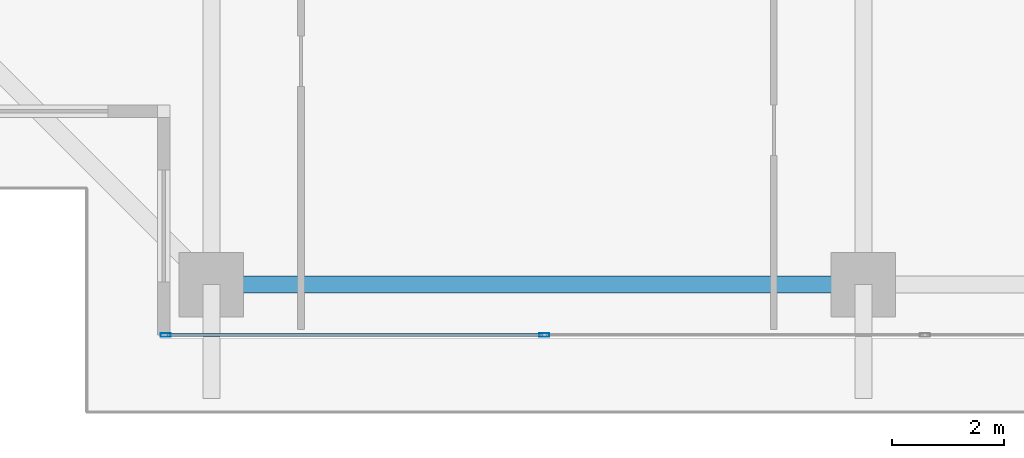
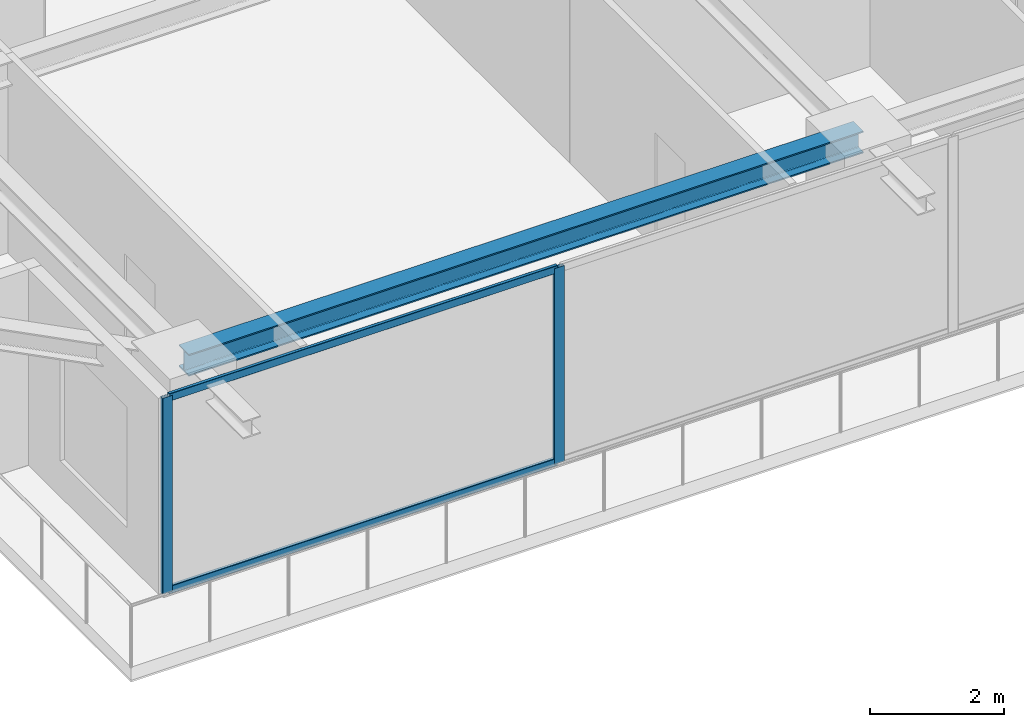
# One storey, part 2 of 37: 4 members, 1 beam, 1 element without a shape of its own.
"""IFC4 building model written with IfcOpenShell, lengths in metres."""

from ifc_helpers import new_model, si_unit, direction, frame, origin, origin_2d, place, context, subcontext, project, spatial, hollow_rectangle, i_section, extrude, source, transform, mapped, material, layer, layer_set, material_profile, profile_set, type_object, element, aggregate, save


model = new_model("IFC4")

# Units and contexts
model_context = context("Model", 3, precision=1e-05, world=origin(), true_north=direction((0.0, 1.0)))
body_context = subcontext(model_context, "Body", "Model", "MODEL_VIEW")
ifc_project = project(units=[si_unit("LENGTHUNIT", "METRE"), si_unit("AREAUNIT", "SQUARE_METRE"), si_unit("VOLUMEUNIT", "CUBIC_METRE"), si_unit("PLANEANGLEUNIT", "RADIAN"), si_unit("MASSUNIT", "GRAM", prefix="KILO")], contexts=[model_context])

# Site, building, storey
site_placement = place(None, origin())
site = spatial("IfcSite", under=ifc_project, at=site_placement, CompositionType="ELEMENT")
building_placement = place(site_placement, origin())
building = spatial("IfcBuilding", under=site, at=building_placement, Name="Serunith Strait Residences", CompositionType="ELEMENT")
storey_placement = place(building_placement, frame((0.0, 0.0, 248.949951171875)))
storey = spatial("IfcBuildingStorey", under=building, at=storey_placement, Name="L62", CompositionType="ELEMENT", Elevation=248.949951171875)

# Beam
ifc_material_1 = material(Name="Steel S355J2", Category="steel")
ifc_material_profile_1 = material_profile(ifc_material_1, i_section(OverallWidth=0.300048828125, OverallDepth=0.39990234375, WebThickness=0.013427734375, FlangeThickness=0.02392578125, FilletRadius=0.027099609375, at=origin_2d()), Name="HEB 400")
ifc_profile_set_1 = profile_set([ifc_material_profile_1], Name="Steel S355J2")
beam_type = type_object("IfcBeamType", Name="BM-HEB400", PredefinedType="BEAM", material=ifc_profile_set_1)
shared_shape_1 = source(origin(), body_context, "Body", "SweptSolid", [
    extrude(i_section(OverallWidth=0.300048828125, OverallDepth=0.39990234375, WebThickness=0.013427734375, FlangeThickness=0.02392578125, FilletRadius=0.027099609375, at=origin_2d()), origin(), (0.0, 0.0, 1.0), 11.64990234375),
])
beam_placement = place(storey_placement, frame((16.25, 2.10009765625, 3.386962890625), z_axis=(1.0, 0.0, 0.0), x_axis=(0.0, 1.0, 0.0)))
element("IfcBeam", 1, at=beam_placement, inside=storey, type_object=beam_type, Name="L62 Perimeter Ring Beam 01", PredefinedType="BEAM", context=body_context, shape_type="MappedRepresentation", body=[
    mapped(shared_shape_1, transform((0.0, 0.0, 0.0), scale=1.0)),
])

# Curtain wall, members
ifc_material_2 = material(Name="Pale-Champagne Anodised Aluminium", Category="aluminium")
ifc_layer = layer(ifc_material_2, 0.199951171875, Name="Pale-Champagne Anodised Aluminium")
ifc_layer_set = layer_set([ifc_layer], Name="Pale-Champagne Anodised Aluminium")
curtain_wall_type = type_object("IfcCurtainWallType", Name="CW-SYS4", PredefinedType="NOTDEFINED", material=ifc_layer_set)
curtain_wall_placement = place(storey_placement, origin())
curtain_wall = element("IfcCurtainWall", 2, at=curtain_wall_placement, inside=storey, type_object=curtain_wall_type, Name="L62 S Unitised Fritted Curtain Wall", PredefinedType="NOTDEFINED")
ifc_material_profile_2 = material_profile(ifc_material_2, hollow_rectangle(XDim=0.06494140625, YDim=0.179931640625, WallThickness=0.00341796875, InnerFilletRadius=0.00537109375, OuterFilletRadius=0.0087890625, at=origin_2d()), Name="ALU 180x65x3.5")
ifc_profile_set_2 = profile_set([ifc_material_profile_2], Name="Pale-Champagne Anodised Aluminium")
member_type_1 = type_object("IfcMemberType", Name="CW-SYS4-MULL", PredefinedType="MULLION", material=ifc_profile_set_2)
shared_shape_2 = source(origin(), body_context, "Body", "SweptSolid", [
    extrude(hollow_rectangle(XDim=0.06494140625, YDim=0.179931640625, WallThickness=0.00341796875, InnerFilletRadius=0.00537109375, OuterFilletRadius=0.0087890625, at=origin_2d()), origin(), (0.0, 0.0, 1.0), 3.574951171875),
])
member_1_placement = place(storey_placement, frame((15.4326171875, 1.199951171875, 0.0), z_axis=(0.0, 0.0, 1.0), x_axis=(0.0, 1.0, 0.0)))
member_1 = element("IfcMember", 3, at=member_1_placement, type_object=member_type_1, Name="CW-4 mullion 1", PredefinedType="MULLION", context=body_context, shape_type="MappedRepresentation", body=[
    mapped(shared_shape_2, transform((0.0, 0.0, 0.0), scale=1.0)),
])
member_2_placement = place(storey_placement, frame((22.199951171875, 1.199951171875, 0.0), z_axis=(0.0, 0.0, 1.0), x_axis=(0.0, 1.0, 0.0)))
member_2 = element("IfcMember", 4, at=member_2_placement, type_object=member_type_1, Name="CW-4 mullion 2", PredefinedType="MULLION", context=body_context, shape_type="MappedRepresentation", body=[
    mapped(shared_shape_2, transform((0.0, 0.0, 0.0), scale=1.0)),
])
ifc_material_profile_3 = material_profile(ifc_material_2, hollow_rectangle(XDim=0.06005859375, YDim=0.139892578125, WallThickness=0.00341796875, InnerFilletRadius=0.00537109375, OuterFilletRadius=0.0087890625, at=origin_2d()), Name="ALU 140x60x3.5")
ifc_profile_set_3 = profile_set([ifc_material_profile_3], Name="Pale-Champagne Anodised Aluminium")
member_type_2 = type_object("IfcMemberType", Name="CW-SYS4-TRAN", PredefinedType="USERDEFINED", material=ifc_profile_set_3)
shared_shape_3 = source(origin(), body_context, "Body", "SweptSolid", [
    extrude(hollow_rectangle(XDim=0.06005859375, YDim=0.139892578125, WallThickness=0.00341796875, InnerFilletRadius=0.00537109375, OuterFilletRadius=0.0087890625, at=origin_2d()), origin(), (0.0, 0.0, 1.0), 6.702392578125),
])
member_3_placement = place(storey_placement, frame((15.465087890625, 1.199951171875, 0.030029296875), z_axis=(1.0, 0.0, 0.0), x_axis=(0.0, 1.0, 0.0)))
member_3 = element("IfcMember", 5, at=member_3_placement, type_object=member_type_2, Name="CW-4 transom 1.1", ObjectType="TRANSOM", PredefinedType="USERDEFINED", context=body_context, shape_type="MappedRepresentation", body=[
    mapped(shared_shape_3, transform((0.0, 0.0, 0.0), scale=1.0)),
])
member_4_placement = place(storey_placement, frame((15.465087890625, 1.199951171875, 3.545166015625), z_axis=(1.0, 0.0, 0.0), x_axis=(0.0, 1.0, 0.0)))
member_4 = element("IfcMember", 6, at=member_4_placement, type_object=member_type_2, Name="CW-4 transom 1.2", ObjectType="TRANSOM", PredefinedType="USERDEFINED", context=body_context, shape_type="MappedRepresentation", body=[
    mapped(shared_shape_3, transform((0.0, 0.0, 0.0), scale=1.0)),
])
aggregate(curtain_wall, [member_1, member_2, member_3, member_4])

save(model, "model.ifc")
